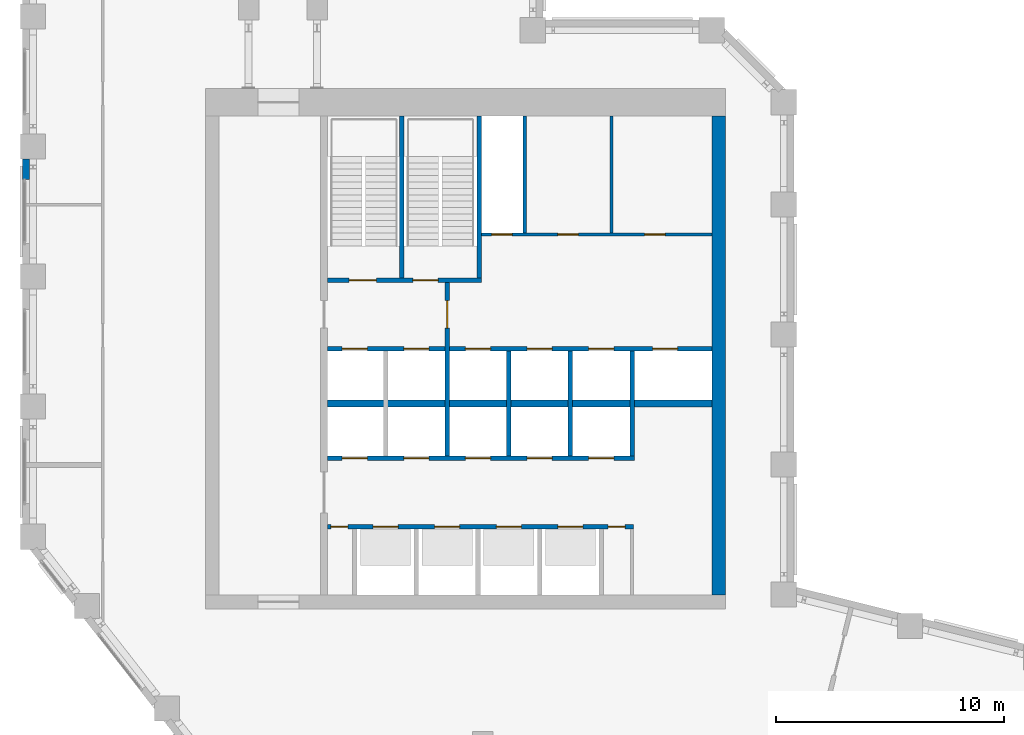
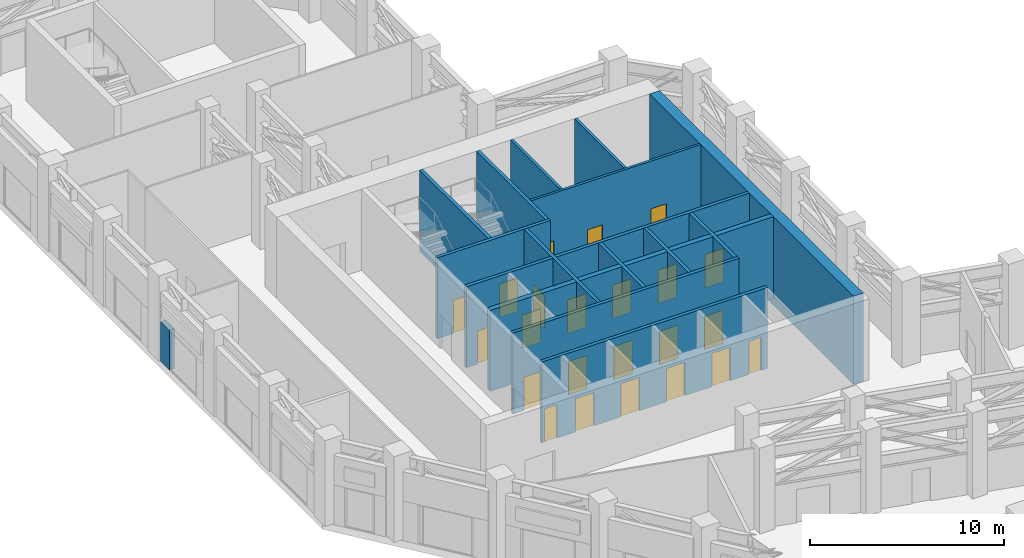
# One storey, part 14 of 21: 23 doors, 16 walls, 23 openings.
"""IFC4 building model written with IfcOpenShell, lengths in metres."""

from ifc_helpers import new_model, si_unit, direction, frame, frame_2d, origin, place, context, subcontext, project, spatial, rectangle, extrude, material, layer, layer_set, type_object, element, fill, save


model = new_model("IFC4")

# Units and contexts
model_context = context("Model", 3, precision=1e-05, world=origin(), true_north=direction((0.0, 1.0)))
body_context = subcontext(model_context, "Body", "Model", "MODEL_VIEW")
ifc_project = project(units=[si_unit("LENGTHUNIT", "METRE"), si_unit("AREAUNIT", "SQUARE_METRE"), si_unit("VOLUMEUNIT", "CUBIC_METRE"), si_unit("PLANEANGLEUNIT", "RADIAN"), si_unit("MASSUNIT", "GRAM", prefix="KILO")], contexts=[model_context])

# Site, building, storey
site_placement = place(None, origin())
site = spatial("IfcSite", under=ifc_project, at=site_placement, CompositionType="ELEMENT")
building_placement = place(site_placement, origin())
building = spatial("IfcBuilding", under=site, at=building_placement, Name="Meshkara Civic Tower", CompositionType="ELEMENT")
storey_placement = place(building_placement, frame((0.0, 0.0, 284.39990234375)))
storey = spatial("IfcBuildingStorey", under=building, at=storey_placement, Name="L65", CompositionType="ELEMENT", Elevation=284.39990234375)

# Wall, openings, doors
ifc_material_1 = material(Name="Blockwork", Category="masonry")
ifc_layer_1 = layer(ifc_material_1, 0.14990234375)
ifc_layer_set_1 = layer_set([ifc_layer_1], Name="Core partition 150")
wall_type_1 = type_object("IfcWallType", Name="Core partition 150", PredefinedType="PARTITIONING", material=ifc_layer_set_1)
wall_1_placement = place(storey_placement, frame((20.10009765625, 30.5, 0.0), z_axis=(0.0, 0.0, 1.0), x_axis=(1.0, 0.0, 0.0)))
wall_1 = element("IfcWall", 1, at=wall_1_placement, inside=storey, type_object=wall_type_1, Name="L65-C010", PredefinedType="PARTITIONING", context=body_context, shape_type="SweptSolid", body=[
    extrude(rectangle(XDim=10.099853515625, YDim=0.14990234375, at=frame_2d((5.0498046875, 0.0))), origin(), (0.0, 0.0, 1.0), 5.10009765625),
])
opening_1_placement = place(wall_1_placement, frame((0.449951171875, 0.0, 0.0)))
opening_1 = element("IfcOpeningElement", 2, at=opening_1_placement, cuts=wall_1, Name="Opening L65-K018", PredefinedType="OPENING", context=body_context, shape_type="SweptSolid", body=[
    extrude(rectangle(XDim=0.89990234375, YDim=2.10009765625, at=frame_2d((0.449951171875, 1.050048828125))), frame((0.0, 0.0849609375, 0.0), z_axis=(0.0, -1.0, 0.0), x_axis=(1.0, 0.0, 0.0)), (0.0, 0.0, 1.0), 0.169921875),
])
opening_2_placement = place(wall_1_placement, frame((3.35009765625, 0.0, 0.0)))
opening_2 = element("IfcOpeningElement", 3, at=opening_2_placement, cuts=wall_1, Name="Opening L65-K019", PredefinedType="OPENING", context=body_context, shape_type="SweptSolid", body=[
    extrude(rectangle(XDim=0.89990234375, YDim=2.10009765625, at=frame_2d((0.449951171875, 1.050048828125))), frame((0.0, 0.0849609375, 0.0), z_axis=(0.0, -1.0, 0.0), x_axis=(1.0, 0.0, 0.0)), (0.0, 0.0, 1.0), 0.169921875),
])
opening_3_placement = place(wall_1_placement, frame((7.14990234375, 0.0, 0.0)))
opening_3 = element("IfcOpeningElement", 4, at=opening_3_placement, cuts=wall_1, Name="Opening L65-K020", PredefinedType="OPENING", context=body_context, shape_type="SweptSolid", body=[
    extrude(rectangle(XDim=0.89990234375, YDim=2.10009765625, at=frame_2d((0.449951171875, 1.050048828125))), frame((0.0, 0.0849609375, 0.0), z_axis=(0.0, -1.0, 0.0), x_axis=(1.0, 0.0, 0.0)), (0.0, 0.0, 1.0), 0.169921875),
])
ifc_material_2 = material(Name="Timber door leaf in steel frame", Category="steel")
door_type_1 = type_object("IfcDoorType", Name="Core room door 900", OperationType="SINGLE_SWING_LEFT", PredefinedType="DOOR", material=ifc_material_2)
door_1_placement = place(opening_2_placement, origin())
door_1 = element("IfcDoor", 5, at=door_1_placement, inside=storey, type_object=door_type_1, Name="L65-K019", OperationType="SINGLE_SWING_RIGHT", OverallHeight=2.10009765625, OverallWidth=0.89990234375, PredefinedType="DOOR", context=body_context, shape_type="SweptSolid", body=[
    extrude(rectangle(XDim=0.89990234375, YDim=2.10009765625, at=frame_2d((0.449951171875, 1.050048828125))), frame((0.0, 0.02490234375, 0.0), z_axis=(0.0, -1.0, 0.0), x_axis=(1.0, 0.0, 0.0)), (0.0, 0.0, 1.0), 0.050048828125),
])
fill(opening_2, door_1)
ifc_material_3 = material(Name="Fire-rated door leaf in steel frame", Category="steel")
door_type_2 = type_object("IfcDoorType", Name="Riser door 900", OperationType="SINGLE_SWING_LEFT", PredefinedType="DOOR", material=ifc_material_3)
door_2_placement = place(opening_1_placement, origin())
door_2 = element("IfcDoor", 6, at=door_2_placement, inside=storey, type_object=door_type_2, Name="L65-K018", OperationType="SINGLE_SWING_RIGHT", OverallHeight=2.10009765625, OverallWidth=0.89990234375, PredefinedType="DOOR", context=body_context, shape_type="SweptSolid", body=[
    extrude(rectangle(XDim=0.89990234375, YDim=2.10009765625, at=frame_2d((0.449951171875, 1.050048828125))), frame((0.0, 0.02490234375, 0.0), z_axis=(0.0, -1.0, 0.0), x_axis=(1.0, 0.0, 0.0)), (0.0, 0.0, 1.0), 0.050048828125),
])
fill(opening_1, door_2)
ifc_material_4 = material(Name="Timber door leaf in steel frame", Category="steel")
door_type_3 = type_object("IfcDoorType", Name="WC door 900", OperationType="SINGLE_SWING_LEFT", PredefinedType="DOOR", material=ifc_material_4)
door_3_placement = place(opening_3_placement, origin())
door_3 = element("IfcDoor", 7, at=door_3_placement, inside=storey, type_object=door_type_3, Name="L65-K020", OperationType="SINGLE_SWING_LEFT", OverallHeight=2.10009765625, OverallWidth=0.89990234375, PredefinedType="DOOR", context=body_context, shape_type="SweptSolid", body=[
    extrude(rectangle(XDim=0.89990234375, YDim=2.10009765625, at=frame_2d((0.449951171875, 1.050048828125))), frame((0.0, 0.02490234375, 0.0), z_axis=(0.0, -1.0, 0.0), x_axis=(1.0, 0.0, 0.0)), (0.0, 0.0, 1.0), 0.050048828125),
])
fill(opening_3, door_3)

# Walls
for number, where, z_axis, x_axis, name in (
    (8, (22.0, 30.574951171875, 0.0), (0.0, 0.0, 1.0), (0.0, 1.0, 0.0), "L65-C020"),
    (9, (25.800048828125, 30.574951171875, 0.0), (0.0, 0.0, 1.0), (0.0, 1.0, 0.0), "L65-C024"),
):
    element("IfcWall", number, at=place(storey_placement, frame(where, z_axis=z_axis, x_axis=x_axis)), inside=storey, type_object=wall_type_1, Name=name, PredefinedType="PARTITIONING", context=body_context, shape_type="SweptSolid", body=[
        extrude(rectangle(XDim=5.125, YDim=0.14990234375, at=frame_2d((2.5625, 0.0))), origin(), (0.0, 0.0, 1.0), 5.10009765625),
    ])
ifc_material_5 = material(Name="Concrete C60", Category="concrete")
ifc_layer_2 = layer(ifc_material_5, 0.60009765625)
ifc_layer_set_2 = layer_set([ifc_layer_2], Name="Core ring wall 600 C60")
wall_type_2 = type_object("IfcWallType", Name="Core ring wall 600 C60", PredefinedType="SHEAR", material=ifc_layer_set_2)
wall_2_placement = place(storey_placement, frame((30.5, 14.699951171875, -0.449951171875), z_axis=(0.0, 0.0, 1.0), x_axis=(0.0, 1.0, 0.0)))
element("IfcWall", 10, at=wall_2_placement, inside=storey, type_object=wall_type_2, Name="L65-C004", PredefinedType="SHEAR", context=body_context, shape_type="SweptSolid", body=[
    extrude(rectangle(XDim=21.0, YDim=0.60009765625, at=frame_2d((10.5, 0.0))), origin(), (0.0, 0.0, 1.0), 5.550048828125),
])
ifc_material_6 = material(Name="Concrete C60", Category="concrete")
ifc_layer_3 = layer(ifc_material_6, 0.300048828125)
ifc_layer_set_3 = layer_set([ifc_layer_3], Name="Core shear wall 300 C60")
wall_type_3 = type_object("IfcWallType", Name="Core shear wall 300 C60", PredefinedType="SHEAR", material=ifc_layer_set_3)
wall_3_placement = place(storey_placement, frame((13.35009765625, 23.10009765625, 0.0), z_axis=(0.0, 0.0, 1.0), x_axis=(1.0, 0.0, 0.0)))
element("IfcWall", 11, at=wall_3_placement, inside=storey, type_object=wall_type_3, Name="L65-C007", PredefinedType="SHEAR", context=body_context, shape_type="SweptSolid", body=[
    extrude(rectangle(XDim=16.849853515625, YDim=0.300048828125, at=frame_2d((8.4248046875, 0.0))), origin(), (0.0, 0.0, 1.0), 5.10009765625),
])
ifc_material_7 = material(Name="Concrete C50", Category="concrete")
ifc_layer_4 = layer(ifc_material_7, 0.300048828125)
ifc_layer_set_4 = layer_set([ifc_layer_4], Name="SKY LOBBY PIER 300")
wall_type_4 = type_object("IfcWallType", Name="SKY LOBBY PIER 300", PredefinedType="SOLIDWALL", material=ifc_layer_set_4)
wall_4_placement = place(storey_placement, frame((0.14990234375, 33.804931640625, 0.0), z_axis=(0.0, 0.0, 1.0), x_axis=(0.0, -1.0, 0.0)))
element("IfcWall", 12, at=wall_4_placement, inside=storey, type_object=wall_type_4, Name="Sky lobby pier", PredefinedType="SOLIDWALL", context=body_context, shape_type="SweptSolid", body=[
    extrude(rectangle(XDim=0.90087890625, YDim=0.300048828125, at=frame_2d((0.450439453125, 0.0))), origin(), (0.0, 0.0, 1.0), 2.5),
])

# Wall, openings, doors
ifc_material_8 = material(Name="Concrete C40/50", Category="concrete")
ifc_layer_5 = layer(ifc_material_8, 0.199951171875)
ifc_layer_set_5 = layer_set([ifc_layer_5], Name="Shaft wall 200 C40/50")
wall_type_5 = type_object("IfcWallType", Name="Shaft wall 200 C40/50", PredefinedType="SOLIDWALL", material=ifc_layer_set_5)
wall_5_placement = place(storey_placement, frame((13.35009765625, 17.699951171875, 0.0), z_axis=(0.0, 0.0, 1.0), x_axis=(1.0, 0.0, 0.0)))
wall_5 = element("IfcWall", 13, at=wall_5_placement, inside=storey, type_object=wall_type_5, Name="L65-C005", PredefinedType="SOLIDWALL", context=body_context, shape_type="SweptSolid", body=[
    extrude(rectangle(XDim=13.4248046875, YDim=0.199951171875, at=frame_2d((6.71240234375, 0.0))), origin(), (0.0, 0.0, 1.0), 5.10009765625),
])
opening_4_placement = place(wall_5_placement, frame((2.0, 0.0, 0.0)))
opening_4 = element("IfcOpeningElement", 14, at=opening_4_placement, cuts=wall_5, Name="Opening L65-K001", PredefinedType="OPENING", context=body_context, shape_type="SweptSolid", body=[
    extrude(rectangle(XDim=1.10009765625, YDim=2.10009765625, at=frame_2d((0.550048828125, 1.050048828125))), frame((0.0, 0.10986328125, 0.0), z_axis=(0.0, -1.0, 0.0), x_axis=(1.0, 0.0, 0.0)), (0.0, 0.0, 1.0), 0.219970703125),
])
opening_5_placement = place(wall_5_placement, frame((4.699951171875, 0.0, 0.0)))
opening_5 = element("IfcOpeningElement", 15, at=opening_5_placement, cuts=wall_5, Name="Opening L65-K002", PredefinedType="OPENING", context=body_context, shape_type="SweptSolid", body=[
    extrude(rectangle(XDim=1.10009765625, YDim=2.10009765625, at=frame_2d((0.550048828125, 1.050048828125))), frame((0.0, 0.10986328125, 0.0), z_axis=(0.0, -1.0, 0.0), x_axis=(1.0, 0.0, 0.0)), (0.0, 0.0, 1.0), 0.219970703125),
])
opening_6_placement = place(wall_5_placement, frame((7.39990234375, 0.0, 0.0)))
opening_6 = element("IfcOpeningElement", 16, at=opening_6_placement, cuts=wall_5, Name="Opening L65-K003", PredefinedType="OPENING", context=body_context, shape_type="SweptSolid", body=[
    extrude(rectangle(XDim=1.10009765625, YDim=2.10009765625, at=frame_2d((0.550048828125, 1.050048828125))), frame((0.0, 0.10986328125, 0.0), z_axis=(0.0, -1.0, 0.0), x_axis=(1.0, 0.0, 0.0)), (0.0, 0.0, 1.0), 0.219970703125),
])
opening_7_placement = place(wall_5_placement, frame((10.10009765625, 0.0, 0.0)))
opening_7 = element("IfcOpeningElement", 17, at=opening_7_placement, cuts=wall_5, Name="Opening L65-K004", PredefinedType="OPENING", context=body_context, shape_type="SweptSolid", body=[
    extrude(rectangle(XDim=1.10009765625, YDim=2.10009765625, at=frame_2d((0.550048828125, 1.050048828125))), frame((0.0, 0.10986328125, 0.0), z_axis=(0.0, -1.0, 0.0), x_axis=(1.0, 0.0, 0.0)), (0.0, 0.0, 1.0), 0.219970703125),
])
opening_8_placement = place(wall_5_placement, frame((0.14990234375, 0.0, 0.0)))
opening_8 = element("IfcOpeningElement", 18, at=opening_8_placement, cuts=wall_5, Name="Opening L65-K016", PredefinedType="OPENING", context=body_context, shape_type="SweptSolid", body=[
    extrude(rectangle(XDim=0.75, YDim=2.10009765625, at=frame_2d((0.375, 1.050048828125))), frame((0.0, 0.10986328125, 0.0), z_axis=(0.0, -1.0, 0.0), x_axis=(1.0, 0.0, 0.0)), (0.0, 0.0, 1.0), 0.219970703125),
])
opening_9_placement = place(wall_5_placement, frame((12.300048828125, 0.0, 0.0)))
opening_9 = element("IfcOpeningElement", 19, at=opening_9_placement, cuts=wall_5, Name="Opening L65-K017", PredefinedType="OPENING", context=body_context, shape_type="SweptSolid", body=[
    extrude(rectangle(XDim=0.75, YDim=2.10009765625, at=frame_2d((0.375, 1.050048828125))), frame((0.0, 0.10986328125, 0.0), z_axis=(0.0, -1.0, 0.0), x_axis=(1.0, 0.0, 0.0)), (0.0, 0.0, 1.0), 0.219970703125),
])
ifc_material_9 = material(Name="Timber door leaf in steel frame", Category="steel")
door_type_4 = type_object("IfcDoorType", Name="Core room door 750", OperationType="SINGLE_SWING_LEFT", PredefinedType="DOOR", material=ifc_material_9)
door_4_placement = place(opening_8_placement, origin())
door_4 = element("IfcDoor", 20, at=door_4_placement, inside=storey, type_object=door_type_4, Name="L65-K016", OperationType="SINGLE_SWING_RIGHT", OverallHeight=2.10009765625, OverallWidth=0.75, PredefinedType="DOOR", context=body_context, shape_type="SweptSolid", body=[
    extrude(rectangle(XDim=0.75, YDim=2.10009765625, at=frame_2d((0.375, 1.050048828125))), frame((0.0, 0.02490234375, 0.0), z_axis=(0.0, -1.0, 0.0), x_axis=(1.0, 0.0, 0.0)), (0.0, 0.0, 1.0), 0.050048828125),
])
fill(opening_8, door_4)
door_5_placement = place(opening_9_placement, origin())
door_5 = element("IfcDoor", 21, at=door_5_placement, inside=storey, type_object=door_type_4, Name="L65-K017", OperationType="SINGLE_SWING_RIGHT", OverallHeight=2.10009765625, OverallWidth=0.75, PredefinedType="DOOR", context=body_context, shape_type="SweptSolid", body=[
    extrude(rectangle(XDim=0.75, YDim=2.10009765625, at=frame_2d((0.375, 1.050048828125))), frame((0.0, 0.02490234375, 0.0), z_axis=(0.0, -1.0, 0.0), x_axis=(1.0, 0.0, 0.0)), (0.0, 0.0, 1.0), 0.050048828125),
])
fill(opening_9, door_5)
ifc_material_10 = material(Name="Stainless steel landing door", Category="steel")
door_type_5 = type_object("IfcDoorType", Name="Lift landing door 1100", OperationType="SLIDING_TO_LEFT", PredefinedType="DOOR", material=ifc_material_10)
door_6_placement = place(opening_4_placement, origin())
door_6 = element("IfcDoor", 22, at=door_6_placement, inside=storey, type_object=door_type_5, Name="L65-K001", OperationType="SLIDING_TO_LEFT", OverallHeight=2.10009765625, OverallWidth=1.10009765625, PredefinedType="DOOR", context=body_context, shape_type="SweptSolid", body=[
    extrude(rectangle(XDim=1.10009765625, YDim=2.10009765625, at=frame_2d((0.550048828125, 1.050048828125))), frame((0.0, 0.02490234375, 0.0), z_axis=(0.0, -1.0, 0.0), x_axis=(1.0, 0.0, 0.0)), (0.0, 0.0, 1.0), 0.050048828125),
])
fill(opening_4, door_6)
door_7_placement = place(opening_5_placement, origin())
door_7 = element("IfcDoor", 23, at=door_7_placement, inside=storey, type_object=door_type_5, Name="L65-K002", OperationType="SLIDING_TO_LEFT", OverallHeight=2.10009765625, OverallWidth=1.10009765625, PredefinedType="DOOR", context=body_context, shape_type="SweptSolid", body=[
    extrude(rectangle(XDim=1.10009765625, YDim=2.10009765625, at=frame_2d((0.550048828125, 1.050048828125))), frame((0.0, 0.02490234375, 0.0), z_axis=(0.0, -1.0, 0.0), x_axis=(1.0, 0.0, 0.0)), (0.0, 0.0, 1.0), 0.050048828125),
])
fill(opening_5, door_7)
door_8_placement = place(opening_6_placement, origin())
door_8 = element("IfcDoor", 24, at=door_8_placement, inside=storey, type_object=door_type_5, Name="L65-K003", OperationType="SLIDING_TO_LEFT", OverallHeight=2.10009765625, OverallWidth=1.10009765625, PredefinedType="DOOR", context=body_context, shape_type="SweptSolid", body=[
    extrude(rectangle(XDim=1.10009765625, YDim=2.10009765625, at=frame_2d((0.550048828125, 1.050048828125))), frame((0.0, 0.02490234375, 0.0), z_axis=(0.0, -1.0, 0.0), x_axis=(1.0, 0.0, 0.0)), (0.0, 0.0, 1.0), 0.050048828125),
])
fill(opening_6, door_8)
door_9_placement = place(opening_7_placement, origin())
door_9 = element("IfcDoor", 25, at=door_9_placement, inside=storey, type_object=door_type_5, Name="L65-K004", OperationType="SLIDING_TO_LEFT", OverallHeight=2.10009765625, OverallWidth=1.10009765625, PredefinedType="DOOR", context=body_context, shape_type="SweptSolid", body=[
    extrude(rectangle(XDim=1.10009765625, YDim=2.10009765625, at=frame_2d((0.550048828125, 1.050048828125))), frame((0.0, 0.02490234375, 0.0), z_axis=(0.0, -1.0, 0.0), x_axis=(1.0, 0.0, 0.0)), (0.0, 0.0, 1.0), 0.050048828125),
])
fill(opening_7, door_9)

wall_6_placement = place(storey_placement, frame((13.35009765625, 20.699951171875, 0.0), z_axis=(0.0, 0.0, 1.0), x_axis=(1.0, 0.0, 0.0)))
wall_6 = element("IfcWall", 26, at=wall_6_placement, inside=storey, type_object=wall_type_5, Name="L65-C006", PredefinedType="SOLIDWALL", context=body_context, shape_type="SweptSolid", body=[
    extrude(rectangle(XDim=13.449951171875, YDim=0.199951171875, at=frame_2d((6.72509765625, 0.0))), origin(), (0.0, 0.0, 1.0), 5.10009765625),
])
opening_10_placement = place(wall_6_placement, frame((0.64990234375, 0.0, 0.0)))
opening_10 = element("IfcOpeningElement", 27, at=opening_10_placement, cuts=wall_6, Name="Opening L65-K005", PredefinedType="OPENING", context=body_context, shape_type="SweptSolid", body=[
    extrude(rectangle(XDim=1.10009765625, YDim=2.10009765625, at=frame_2d((0.550048828125, 1.050048828125))), frame((0.0, 0.10986328125, 0.0), z_axis=(0.0, -1.0, 0.0), x_axis=(1.0, 0.0, 0.0)), (0.0, 0.0, 1.0), 0.219970703125),
])
opening_11_placement = place(wall_6_placement, frame((3.35009765625, 0.0, 0.0)))
opening_11 = element("IfcOpeningElement", 28, at=opening_11_placement, cuts=wall_6, Name="Opening L65-K006", PredefinedType="OPENING", context=body_context, shape_type="SweptSolid", body=[
    extrude(rectangle(XDim=1.10009765625, YDim=2.10009765625, at=frame_2d((0.550048828125, 1.050048828125))), frame((0.0, 0.10986328125, 0.0), z_axis=(0.0, -1.0, 0.0), x_axis=(1.0, 0.0, 0.0)), (0.0, 0.0, 1.0), 0.219970703125),
])
opening_12_placement = place(wall_6_placement, frame((6.050048828125, 0.0, 0.0)))
opening_12 = element("IfcOpeningElement", 29, at=opening_12_placement, cuts=wall_6, Name="Opening L65-K007", PredefinedType="OPENING", context=body_context, shape_type="SweptSolid", body=[
    extrude(rectangle(XDim=1.10009765625, YDim=2.10009765625, at=frame_2d((0.550048828125, 1.050048828125))), frame((0.0, 0.10986328125, 0.0), z_axis=(0.0, -1.0, 0.0), x_axis=(1.0, 0.0, 0.0)), (0.0, 0.0, 1.0), 0.219970703125),
])
opening_13_placement = place(wall_6_placement, frame((8.75, 0.0, 0.0)))
opening_13 = element("IfcOpeningElement", 30, at=opening_13_placement, cuts=wall_6, Name="Opening L65-K008", PredefinedType="OPENING", context=body_context, shape_type="SweptSolid", body=[
    extrude(rectangle(XDim=1.10009765625, YDim=2.10009765625, at=frame_2d((0.550048828125, 1.050048828125))), frame((0.0, 0.10986328125, 0.0), z_axis=(0.0, -1.0, 0.0), x_axis=(1.0, 0.0, 0.0)), (0.0, 0.0, 1.0), 0.219970703125),
])
opening_14_placement = place(wall_6_placement, frame((11.449951171875, 0.0, 0.0)))
opening_14 = element("IfcOpeningElement", 31, at=opening_14_placement, cuts=wall_6, Name="Opening L65-K009", PredefinedType="OPENING", context=body_context, shape_type="SweptSolid", body=[
    extrude(rectangle(XDim=1.10009765625, YDim=2.10009765625, at=frame_2d((0.550048828125, 1.050048828125))), frame((0.0, 0.10986328125, 0.0), z_axis=(0.0, -1.0, 0.0), x_axis=(1.0, 0.0, 0.0)), (0.0, 0.0, 1.0), 0.219970703125),
])
door_10_placement = place(opening_10_placement, origin())
door_10 = element("IfcDoor", 32, at=door_10_placement, inside=storey, type_object=door_type_5, Name="L65-K005", OperationType="SLIDING_TO_LEFT", OverallHeight=2.10009765625, OverallWidth=1.10009765625, PredefinedType="DOOR", context=body_context, shape_type="SweptSolid", body=[
    extrude(rectangle(XDim=1.10009765625, YDim=2.10009765625, at=frame_2d((0.550048828125, 1.050048828125))), frame((0.0, 0.02490234375, 0.0), z_axis=(0.0, -1.0, 0.0), x_axis=(1.0, 0.0, 0.0)), (0.0, 0.0, 1.0), 0.050048828125),
])
fill(opening_10, door_10)
door_11_placement = place(opening_11_placement, origin())
door_11 = element("IfcDoor", 33, at=door_11_placement, inside=storey, type_object=door_type_5, Name="L65-K006", OperationType="SLIDING_TO_LEFT", OverallHeight=2.10009765625, OverallWidth=1.10009765625, PredefinedType="DOOR", context=body_context, shape_type="SweptSolid", body=[
    extrude(rectangle(XDim=1.10009765625, YDim=2.10009765625, at=frame_2d((0.550048828125, 1.050048828125))), frame((0.0, 0.02490234375, 0.0), z_axis=(0.0, -1.0, 0.0), x_axis=(1.0, 0.0, 0.0)), (0.0, 0.0, 1.0), 0.050048828125),
])
fill(opening_11, door_11)
door_12_placement = place(opening_12_placement, origin())
door_12 = element("IfcDoor", 34, at=door_12_placement, inside=storey, type_object=door_type_5, Name="L65-K007", OperationType="SLIDING_TO_LEFT", OverallHeight=2.10009765625, OverallWidth=1.10009765625, PredefinedType="DOOR", context=body_context, shape_type="SweptSolid", body=[
    extrude(rectangle(XDim=1.10009765625, YDim=2.10009765625, at=frame_2d((0.550048828125, 1.050048828125))), frame((0.0, 0.02490234375, 0.0), z_axis=(0.0, -1.0, 0.0), x_axis=(1.0, 0.0, 0.0)), (0.0, 0.0, 1.0), 0.050048828125),
])
fill(opening_12, door_12)
door_13_placement = place(opening_13_placement, origin())
door_13 = element("IfcDoor", 35, at=door_13_placement, inside=storey, type_object=door_type_5, Name="L65-K008", OperationType="SLIDING_TO_LEFT", OverallHeight=2.10009765625, OverallWidth=1.10009765625, PredefinedType="DOOR", context=body_context, shape_type="SweptSolid", body=[
    extrude(rectangle(XDim=1.10009765625, YDim=2.10009765625, at=frame_2d((0.550048828125, 1.050048828125))), frame((0.0, 0.02490234375, 0.0), z_axis=(0.0, -1.0, 0.0), x_axis=(1.0, 0.0, 0.0)), (0.0, 0.0, 1.0), 0.050048828125),
])
fill(opening_13, door_13)
door_14_placement = place(opening_14_placement, origin())
door_14 = element("IfcDoor", 36, at=door_14_placement, inside=storey, type_object=door_type_5, Name="L65-K009", OperationType="SLIDING_TO_LEFT", OverallHeight=2.10009765625, OverallWidth=1.10009765625, PredefinedType="DOOR", context=body_context, shape_type="SweptSolid", body=[
    extrude(rectangle(XDim=1.10009765625, YDim=2.10009765625, at=frame_2d((0.550048828125, 1.050048828125))), frame((0.0, 0.02490234375, 0.0), z_axis=(0.0, -1.0, 0.0), x_axis=(1.0, 0.0, 0.0)), (0.0, 0.0, 1.0), 0.050048828125),
])
fill(opening_14, door_14)

wall_7_placement = place(storey_placement, frame((13.35009765625, 25.5, 0.0), z_axis=(0.0, 0.0, 1.0), x_axis=(1.0, 0.0, 0.0)))
wall_7 = element("IfcWall", 37, at=wall_7_placement, inside=storey, type_object=wall_type_5, Name="L65-C008", PredefinedType="SOLIDWALL", context=body_context, shape_type="SweptSolid", body=[
    extrude(rectangle(XDim=16.849853515625, YDim=0.199951171875, at=frame_2d((8.4248046875, 0.0))), origin(), (0.0, 0.0, 1.0), 5.10009765625),
])
opening_15_placement = place(wall_7_placement, frame((0.64990234375, 0.0, 0.0)))
opening_15 = element("IfcOpeningElement", 38, at=opening_15_placement, cuts=wall_7, Name="Opening L65-K010", PredefinedType="OPENING", context=body_context, shape_type="SweptSolid", body=[
    extrude(rectangle(XDim=1.10009765625, YDim=2.10009765625, at=frame_2d((0.550048828125, 1.050048828125))), frame((0.0, 0.10986328125, 0.0), z_axis=(0.0, -1.0, 0.0), x_axis=(1.0, 0.0, 0.0)), (0.0, 0.0, 1.0), 0.219970703125),
])
opening_16_placement = place(wall_7_placement, frame((3.35009765625, 0.0, 0.0)))
opening_16 = element("IfcOpeningElement", 39, at=opening_16_placement, cuts=wall_7, Name="Opening L65-K011", PredefinedType="OPENING", context=body_context, shape_type="SweptSolid", body=[
    extrude(rectangle(XDim=1.10009765625, YDim=2.10009765625, at=frame_2d((0.550048828125, 1.050048828125))), frame((0.0, 0.10986328125, 0.0), z_axis=(0.0, -1.0, 0.0), x_axis=(1.0, 0.0, 0.0)), (0.0, 0.0, 1.0), 0.219970703125),
])
opening_17_placement = place(wall_7_placement, frame((6.050048828125, 0.0, 0.0)))
opening_17 = element("IfcOpeningElement", 40, at=opening_17_placement, cuts=wall_7, Name="Opening L65-K012", PredefinedType="OPENING", context=body_context, shape_type="SweptSolid", body=[
    extrude(rectangle(XDim=1.10009765625, YDim=2.10009765625, at=frame_2d((0.550048828125, 1.050048828125))), frame((0.0, 0.10986328125, 0.0), z_axis=(0.0, -1.0, 0.0), x_axis=(1.0, 0.0, 0.0)), (0.0, 0.0, 1.0), 0.219970703125),
])
opening_18_placement = place(wall_7_placement, frame((8.75, 0.0, 0.0)))
opening_18 = element("IfcOpeningElement", 41, at=opening_18_placement, cuts=wall_7, Name="Opening L65-K013", PredefinedType="OPENING", context=body_context, shape_type="SweptSolid", body=[
    extrude(rectangle(XDim=1.10009765625, YDim=2.10009765625, at=frame_2d((0.550048828125, 1.050048828125))), frame((0.0, 0.10986328125, 0.0), z_axis=(0.0, -1.0, 0.0), x_axis=(1.0, 0.0, 0.0)), (0.0, 0.0, 1.0), 0.219970703125),
])
opening_19_placement = place(wall_7_placement, frame((11.449951171875, 0.0, 0.0)))
opening_19 = element("IfcOpeningElement", 42, at=opening_19_placement, cuts=wall_7, Name="Opening L65-K014", PredefinedType="OPENING", context=body_context, shape_type="SweptSolid", body=[
    extrude(rectangle(XDim=1.10009765625, YDim=2.10009765625, at=frame_2d((0.550048828125, 1.050048828125))), frame((0.0, 0.10986328125, 0.0), z_axis=(0.0, -1.0, 0.0), x_axis=(1.0, 0.0, 0.0)), (0.0, 0.0, 1.0), 0.219970703125),
])
opening_20_placement = place(wall_7_placement, frame((14.25, 0.0, 0.0)))
opening_20 = element("IfcOpeningElement", 43, at=opening_20_placement, cuts=wall_7, Name="Opening L65-K015", PredefinedType="OPENING", context=body_context, shape_type="SweptSolid", body=[
    extrude(rectangle(XDim=1.10009765625, YDim=2.10009765625, at=frame_2d((0.550048828125, 1.050048828125))), frame((0.0, 0.10986328125, 0.0), z_axis=(0.0, -1.0, 0.0), x_axis=(1.0, 0.0, 0.0)), (0.0, 0.0, 1.0), 0.219970703125),
])
door_15_placement = place(opening_15_placement, origin())
door_15 = element("IfcDoor", 44, at=door_15_placement, inside=storey, type_object=door_type_5, Name="L65-K010", OperationType="SLIDING_TO_LEFT", OverallHeight=2.10009765625, OverallWidth=1.10009765625, PredefinedType="DOOR", context=body_context, shape_type="SweptSolid", body=[
    extrude(rectangle(XDim=1.10009765625, YDim=2.10009765625, at=frame_2d((0.550048828125, 1.050048828125))), frame((0.0, 0.02490234375, 0.0), z_axis=(0.0, -1.0, 0.0), x_axis=(1.0, 0.0, 0.0)), (0.0, 0.0, 1.0), 0.050048828125),
])
fill(opening_15, door_15)
door_16_placement = place(opening_16_placement, origin())
door_16 = element("IfcDoor", 45, at=door_16_placement, inside=storey, type_object=door_type_5, Name="L65-K011", OperationType="SLIDING_TO_LEFT", OverallHeight=2.10009765625, OverallWidth=1.10009765625, PredefinedType="DOOR", context=body_context, shape_type="SweptSolid", body=[
    extrude(rectangle(XDim=1.10009765625, YDim=2.10009765625, at=frame_2d((0.550048828125, 1.050048828125))), frame((0.0, 0.02490234375, 0.0), z_axis=(0.0, -1.0, 0.0), x_axis=(1.0, 0.0, 0.0)), (0.0, 0.0, 1.0), 0.050048828125),
])
fill(opening_16, door_16)
door_17_placement = place(opening_17_placement, origin())
door_17 = element("IfcDoor", 46, at=door_17_placement, inside=storey, type_object=door_type_5, Name="L65-K012", OperationType="SLIDING_TO_LEFT", OverallHeight=2.10009765625, OverallWidth=1.10009765625, PredefinedType="DOOR", context=body_context, shape_type="SweptSolid", body=[
    extrude(rectangle(XDim=1.10009765625, YDim=2.10009765625, at=frame_2d((0.550048828125, 1.050048828125))), frame((0.0, 0.02490234375, 0.0), z_axis=(0.0, -1.0, 0.0), x_axis=(1.0, 0.0, 0.0)), (0.0, 0.0, 1.0), 0.050048828125),
])
fill(opening_17, door_17)
door_18_placement = place(opening_18_placement, origin())
door_18 = element("IfcDoor", 47, at=door_18_placement, inside=storey, type_object=door_type_5, Name="L65-K013", OperationType="SLIDING_TO_LEFT", OverallHeight=2.10009765625, OverallWidth=1.10009765625, PredefinedType="DOOR", context=body_context, shape_type="SweptSolid", body=[
    extrude(rectangle(XDim=1.10009765625, YDim=2.10009765625, at=frame_2d((0.550048828125, 1.050048828125))), frame((0.0, 0.02490234375, 0.0), z_axis=(0.0, -1.0, 0.0), x_axis=(1.0, 0.0, 0.0)), (0.0, 0.0, 1.0), 0.050048828125),
])
fill(opening_18, door_18)
door_19_placement = place(opening_19_placement, origin())
door_19 = element("IfcDoor", 48, at=door_19_placement, inside=storey, type_object=door_type_5, Name="L65-K014", OperationType="SLIDING_TO_LEFT", OverallHeight=2.10009765625, OverallWidth=1.10009765625, PredefinedType="DOOR", context=body_context, shape_type="SweptSolid", body=[
    extrude(rectangle(XDim=1.10009765625, YDim=2.10009765625, at=frame_2d((0.550048828125, 1.050048828125))), frame((0.0, 0.02490234375, 0.0), z_axis=(0.0, -1.0, 0.0), x_axis=(1.0, 0.0, 0.0)), (0.0, 0.0, 1.0), 0.050048828125),
])
fill(opening_19, door_19)
door_20_placement = place(opening_20_placement, origin())
door_20 = element("IfcDoor", 49, at=door_20_placement, inside=storey, type_object=door_type_5, Name="L65-K015", OperationType="SLIDING_TO_LEFT", OverallHeight=2.10009765625, OverallWidth=1.10009765625, PredefinedType="DOOR", context=body_context, shape_type="SweptSolid", body=[
    extrude(rectangle(XDim=1.10009765625, YDim=2.10009765625, at=frame_2d((0.550048828125, 1.050048828125))), frame((0.0, 0.02490234375, 0.0), z_axis=(0.0, -1.0, 0.0), x_axis=(1.0, 0.0, 0.0)), (0.0, 0.0, 1.0), 0.050048828125),
])
fill(opening_20, door_20)

# Wall, opening, door
wall_8_placement = place(storey_placement, frame((18.60009765625, 20.800048828125, 0.0), z_axis=(0.0, 0.0, 1.0), x_axis=(0.0, 1.0, 0.0)))
wall_8 = element("IfcWall", 50, at=wall_8_placement, inside=storey, type_object=wall_type_5, Name="L65-C016", PredefinedType="SOLIDWALL", context=body_context, shape_type="SweptSolid", body=[
    extrude(rectangle(XDim=7.599853515625, YDim=0.199951171875, at=frame_2d((3.7998046875, 0.0))), origin(), (0.0, 0.0, 1.0), 5.10009765625),
])
opening_21_placement = place(wall_8_placement, frame((5.60009765625, 0.0, 0.0)))
opening_21 = element("IfcOpeningElement", 51, at=opening_21_placement, cuts=wall_8, Name="Opening L65-K025", PredefinedType="OPENING", context=body_context, shape_type="SweptSolid", body=[
    extrude(rectangle(XDim=1.199951171875, YDim=2.10009765625, at=frame_2d((0.60009765625, 1.050048828125))), frame((0.0, 0.10986328125, 0.0), z_axis=(0.0, -1.0, 0.0), x_axis=(1.0, 0.0, 0.0)), (0.0, 0.0, 1.0), 0.219970703125),
])
ifc_material_11 = material(Name="Fire-rated door leaf in steel frame", Category="steel")
door_type_6 = type_object("IfcDoorType", Name="Fire-fighting lobby door 1200 EI 120", OperationType="SINGLE_SWING_LEFT", PredefinedType="DOOR", material=ifc_material_11)
door_21_placement = place(opening_21_placement, origin())
door_21 = element("IfcDoor", 52, at=door_21_placement, inside=storey, type_object=door_type_6, Name="L65-K025", OperationType="SINGLE_SWING_RIGHT", OverallHeight=2.10009765625, OverallWidth=1.199951171875, PredefinedType="DOOR", context=body_context, shape_type="SweptSolid", body=[
    extrude(rectangle(XDim=1.199951171875, YDim=2.10009765625, at=frame_2d((0.60009765625, 1.050048828125))), frame((0.0, 0.02490234375, 0.0), z_axis=(0.0, -1.0, 0.0), x_axis=(1.0, 0.0, 0.0)), (0.0, 0.0, 1.0), 0.050048828125),
])
fill(opening_21, door_21)

# Walls
for number, where, z_axis, x_axis, name in (
    (53, (21.300048828125, 20.800048828125, 0.0), (0.0, 0.0, 1.0), (0.0, 1.0, 0.0), "L65-C019"),
    (54, (24.0, 20.800048828125, 0.0), (0.0, 0.0, 1.0), (0.0, 1.0, 0.0), "L65-C022"),
    (55, (26.699951171875, 20.800048828125, 0.0), (0.0, 0.0, 1.0), (0.0, 1.0, 0.0), "L65-C026"),
):
    element("IfcWall", number, at=place(storey_placement, frame(where, z_axis=z_axis, x_axis=x_axis)), inside=storey, type_object=wall_type_5, Name=name, PredefinedType="SOLIDWALL", context=body_context, shape_type="SweptSolid", body=[
        extrude(rectangle(XDim=4.599853515625, YDim=0.199951171875, at=frame_2d((2.2998046875, 0.0))), origin(), (0.0, 0.0, 1.0), 5.10009765625),
    ])

# Wall, openings, doors
ifc_material_12 = material(Name="Concrete C40/50", Category="concrete")
ifc_layer_6 = layer(ifc_material_12, 0.199951171875)
ifc_layer_set_6 = layer_set([ifc_layer_6], Name="Stair enclosure wall 200 C40/50")
wall_type_6 = type_object("IfcWallType", Name="Stair enclosure wall 200 C40/50", PredefinedType="SOLIDWALL", material=ifc_layer_set_6)
wall_9_placement = place(storey_placement, frame((13.35009765625, 28.5, 0.0), z_axis=(0.0, 0.0, 1.0), x_axis=(1.0, 0.0, 0.0)))
wall_9 = element("IfcWall", 56, at=wall_9_placement, inside=storey, type_object=wall_type_6, Name="L65-C009", PredefinedType="SOLIDWALL", context=body_context, shape_type="SweptSolid", body=[
    extrude(rectangle(XDim=6.75, YDim=0.199951171875, at=frame_2d((3.375, 0.0))), origin(), (0.0, 0.0, 1.0), 5.10009765625),
])
opening_22_placement = place(wall_9_placement, frame((0.949951171875, 0.0, 0.0)))
opening_22 = element("IfcOpeningElement", 57, at=opening_22_placement, cuts=wall_9, Name="Opening L65-K021", PredefinedType="OPENING", context=body_context, shape_type="SweptSolid", body=[
    extrude(rectangle(XDim=1.199951171875, YDim=2.10009765625, at=frame_2d((0.60009765625, 1.050048828125))), frame((0.0, 0.10986328125, 0.0), z_axis=(0.0, -1.0, 0.0), x_axis=(1.0, 0.0, 0.0)), (0.0, 0.0, 1.0), 0.219970703125),
])
opening_23_placement = place(wall_9_placement, frame((3.75, 0.0, 0.0)))
opening_23 = element("IfcOpeningElement", 58, at=opening_23_placement, cuts=wall_9, Name="Opening L65-K022", PredefinedType="OPENING", context=body_context, shape_type="SweptSolid", body=[
    extrude(rectangle(XDim=1.10009765625, YDim=2.10009765625, at=frame_2d((0.550048828125, 1.050048828125))), frame((0.0, 0.10986328125, 0.0), z_axis=(0.0, -1.0, 0.0), x_axis=(1.0, 0.0, 0.0)), (0.0, 0.0, 1.0), 0.219970703125),
])
ifc_material_13 = material(Name="Fire-rated door leaf in steel frame", Category="steel")
door_type_7 = type_object("IfcDoorType", Name="Stair door 1100 EI 120", OperationType="SINGLE_SWING_LEFT", PredefinedType="DOOR", material=ifc_material_13)
door_22_placement = place(opening_23_placement, origin())
door_22 = element("IfcDoor", 59, at=door_22_placement, inside=storey, type_object=door_type_7, Name="L65-K022", OperationType="SINGLE_SWING_LEFT", OverallHeight=2.10009765625, OverallWidth=1.10009765625, PredefinedType="DOOR", context=body_context, shape_type="SweptSolid", body=[
    extrude(rectangle(XDim=1.10009765625, YDim=2.10009765625, at=frame_2d((0.550048828125, 1.050048828125))), frame((0.0, 0.02490234375, 0.0), z_axis=(0.0, -1.0, 0.0), x_axis=(1.0, 0.0, 0.0)), (0.0, 0.0, 1.0), 0.050048828125),
])
fill(opening_23, door_22)
ifc_material_14 = material(Name="Fire-rated door leaf in steel frame", Category="steel")
door_type_8 = type_object("IfcDoorType", Name="Stair door 1200 EI 120", OperationType="SINGLE_SWING_LEFT", PredefinedType="DOOR", material=ifc_material_14)
door_23_placement = place(opening_22_placement, origin())
door_23 = element("IfcDoor", 60, at=door_23_placement, inside=storey, type_object=door_type_8, Name="L65-K021", OperationType="SINGLE_SWING_RIGHT", OverallHeight=2.10009765625, OverallWidth=1.199951171875, PredefinedType="DOOR", context=body_context, shape_type="SweptSolid", body=[
    extrude(rectangle(XDim=1.199951171875, YDim=2.10009765625, at=frame_2d((0.60009765625, 1.050048828125))), frame((0.0, 0.02490234375, 0.0), z_axis=(0.0, -1.0, 0.0), x_axis=(1.0, 0.0, 0.0)), (0.0, 0.0, 1.0), 0.050048828125),
])
fill(opening_22, door_23)

# Walls
for number, where, z_axis, x_axis, name in (
    (61, (16.60009765625, 28.60009765625, 0.0), (0.0, 0.0, 1.0), (0.0, 1.0, 0.0), "L65-C014"),
    (62, (20.0, 28.60009765625, 0.0), (0.0, 0.0, 1.0), (0.0, 1.0, 0.0), "L65-C018"),
):
    element("IfcWall", number, at=place(storey_placement, frame(where, z_axis=z_axis, x_axis=x_axis)), inside=storey, type_object=wall_type_6, Name=name, PredefinedType="SOLIDWALL", context=body_context, shape_type="SweptSolid", body=[
        extrude(rectangle(XDim=7.099853515625, YDim=0.199951171875, at=frame_2d((3.5498046875, 0.0))), origin(), (0.0, 0.0, 1.0), 5.10009765625),
    ])

save(model, "model.ifc")
